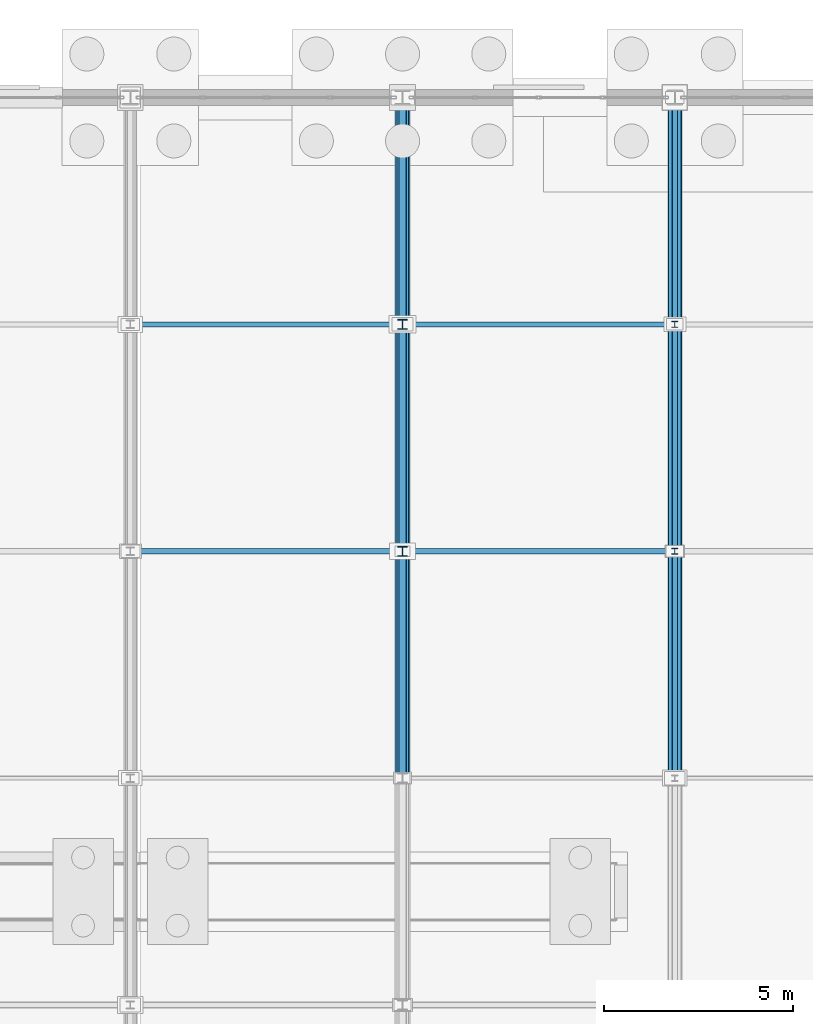
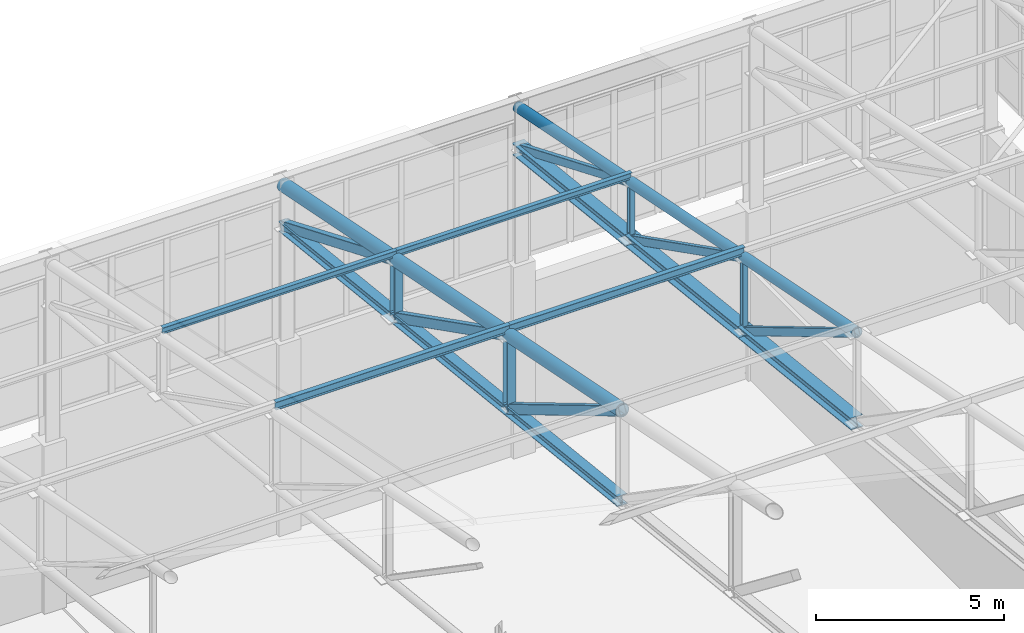
# One storey, part 224 of 293: 26 members.
"""IFC4 building model written with IfcOpenShell, lengths in metres."""

from ifc_helpers import new_model, si_unit, direction, frame, origin, origin_2d, place, context, subcontext, project, spatial, hollow_rectangle, hollow_circle, i_section, extrude, material, material_profile, profile_set, type_object, element, save


model = new_model("IFC4")

# Units and contexts
model_context = context("Model", 3, precision=1e-05, world=origin(), true_north=direction((0.0, 1.0)))
body_context = subcontext(model_context, "Body", "Model", "MODEL_VIEW")
ifc_project = project(units=[si_unit("LENGTHUNIT", "METRE"), si_unit("AREAUNIT", "SQUARE_METRE"), si_unit("VOLUMEUNIT", "CUBIC_METRE"), si_unit("PLANEANGLEUNIT", "RADIAN"), si_unit("MASSUNIT", "GRAM", prefix="KILO")], contexts=[model_context])

# Site, building, storey
site_placement = place(None, origin())
site = spatial("IfcSite", under=ifc_project, at=site_placement, CompositionType="ELEMENT")
building_placement = place(site_placement, origin())
building = spatial("IfcBuilding", under=site, at=building_placement, Name="Kemerveld Promenade Tramway Depot", CompositionType="ELEMENT")
storey_placement = place(building_placement, origin())
storey = spatial("IfcBuildingStorey", under=building, at=storey_placement, Name="L00", CompositionType="ELEMENT", Elevation=0.0)

# Members
ifc_material = material(Name="Steel S355", Category="steel")
ifc_material_profile_1 = material_profile(ifc_material, hollow_rectangle(XDim=0.199951171875, YDim=0.300048828125, WallThickness=0.012451171875, InnerFilletRadius=0.00634765625, OuterFilletRadius=0.018798828125, at=origin_2d()), Name="300x200x12.5 RHS")
ifc_profile_set_1 = profile_set([ifc_material_profile_1], Name="Steel S355")
member_type_1 = type_object("IfcMemberType", Name="MB-M01", PredefinedType="BRACE", material=ifc_profile_set_1)
member_1_placement = place(storey_placement, frame((165.60009765625, 132.0, 11.1201171875), z_axis=(0.0, -0.8587636701, 0.512371895128), x_axis=(1.0, 0.0, 0.0)))
element("IfcMember", 1, at=member_1_placement, inside=storey, type_object=member_type_1, Name="TR-24-DG-08", PredefinedType="BRACE", context=body_context, shape_type="SweptSolid", body=[
    extrude(hollow_rectangle(XDim=0.199951171875, YDim=0.300048828125, WallThickness=0.012451171875, InnerFilletRadius=0.00634765625, OuterFilletRadius=0.018798828125, at=origin_2d()), origin(), (0.0, 0.0, 1.0), 6.98681640625),
])
member_2_placement = place(storey_placement, frame((165.60009765625, 138.0, 10.4599609375), z_axis=(0.0, -0.892033434612, 0.451969414379), x_axis=(1.0, 0.0, 0.0)))
element("IfcMember", 2, at=member_2_placement, inside=storey, type_object=member_type_1, Name="TR-24-DG-09", PredefinedType="BRACE", context=body_context, shape_type="SweptSolid", body=[
    extrude(hollow_rectangle(XDim=0.199951171875, YDim=0.300048828125, WallThickness=0.012451171875, InnerFilletRadius=0.00634765625, OuterFilletRadius=0.018798828125, at=origin_2d()), origin(), (0.0, 0.0, 1.0), 6.726318359375),
])
member_3_placement = place(storey_placement, frame((165.60009765625, 144.0, 9.800048828125), z_axis=(0.0, -0.923076923077, 0.384615384615), x_axis=(1.0, 0.0, 0.0)))
element("IfcMember", 3, at=member_3_placement, inside=storey, type_object=member_type_1, Name="TR-24-DG-10", PredefinedType="BRACE", context=body_context, shape_type="SweptSolid", body=[
    extrude(hollow_rectangle(XDim=0.199951171875, YDim=0.300048828125, WallThickness=0.012451171875, InnerFilletRadius=0.00634765625, OuterFilletRadius=0.018798828125, at=origin_2d()), origin(), (0.0, 0.0, 1.0), 6.5),
])
ifc_material_profile_2 = material_profile(ifc_material, hollow_rectangle(XDim=0.14990234375, YDim=0.25, WallThickness=0.010009765625, InnerFilletRadius=0.0048828125, OuterFilletRadius=0.014892578125, at=origin_2d()), Name="250x150x10.0 RHS")
ifc_profile_set_2 = profile_set([ifc_material_profile_2], Name="Steel S355")
member_type_2 = type_object("IfcMemberType", Name="MB-M02", PredefinedType="BRACE", material=ifc_profile_set_2)
member_4_placement = place(storey_placement, frame((172.800048828125, 132.0, 11.1201171875), z_axis=(0.0, -0.8587636701, 0.512371895128), x_axis=(1.0, 0.0, 0.0)))
element("IfcMember", 4, at=member_4_placement, inside=storey, type_object=member_type_2, Name="TR-25-DG-08", PredefinedType="BRACE", context=body_context, shape_type="SweptSolid", body=[
    extrude(hollow_rectangle(XDim=0.14990234375, YDim=0.25, WallThickness=0.010009765625, InnerFilletRadius=0.0048828125, OuterFilletRadius=0.014892578125, at=origin_2d()), origin(), (0.0, 0.0, 1.0), 6.98681640625),
])
member_5_placement = place(storey_placement, frame((172.800048828125, 138.0, 10.4599609375), z_axis=(0.0, -0.892033434612, 0.451969414379), x_axis=(1.0, 0.0, 0.0)))
element("IfcMember", 5, at=member_5_placement, inside=storey, type_object=member_type_2, Name="TR-25-DG-09", PredefinedType="BRACE", context=body_context, shape_type="SweptSolid", body=[
    extrude(hollow_rectangle(XDim=0.14990234375, YDim=0.25, WallThickness=0.010009765625, InnerFilletRadius=0.0048828125, OuterFilletRadius=0.014892578125, at=origin_2d()), origin(), (0.0, 0.0, 1.0), 6.726318359375),
])
member_6_placement = place(storey_placement, frame((172.800048828125, 144.0, 9.800048828125), z_axis=(0.0, -0.923076923077, 0.384615384615), x_axis=(1.0, 0.0, 0.0)))
element("IfcMember", 6, at=member_6_placement, inside=storey, type_object=member_type_2, Name="TR-25-DG-10", PredefinedType="BRACE", context=body_context, shape_type="SweptSolid", body=[
    extrude(hollow_rectangle(XDim=0.14990234375, YDim=0.25, WallThickness=0.010009765625, InnerFilletRadius=0.0048828125, OuterFilletRadius=0.014892578125, at=origin_2d()), origin(), (0.0, 0.0, 1.0), 6.5),
])
ifc_material_profile_3 = material_profile(ifc_material, i_section(OverallWidth=0.25634765625, OverallDepth=0.26025390625, WebThickness=0.01025390625, FlangeThickness=0.017333984375, FilletRadius=0.0126953125, at=origin_2d()), Name="254x254x89 UC")
ifc_profile_set_3 = profile_set([ifc_material_profile_3], Name="Steel S355")
member_type_3 = type_object("IfcMemberType", Name="MB-M04", PredefinedType="POST", material=ifc_profile_set_3)
member_7_placement = place(storey_placement, frame((165.60009765625, 132.0, 11.1201171875), z_axis=(0.0, 0.0, 1.0), x_axis=(1.0, 0.0, 0.0)))
element("IfcMember", 7, at=member_7_placement, inside=storey, type_object=member_type_3, Name="TR-24-VT-08", PredefinedType="POST", context=body_context, shape_type="SweptSolid", body=[
    extrude(i_section(OverallWidth=0.25634765625, OverallDepth=0.26025390625, WebThickness=0.01025390625, FlangeThickness=0.017333984375, FilletRadius=0.0126953125, at=origin_2d()), origin(), (0.0, 0.0, 1.0), 2.3798828125),
])
member_8_placement = place(storey_placement, frame((165.60009765625, 138.0, 10.4599609375), z_axis=(0.0, 0.0, 1.0), x_axis=(1.0, 0.0, 0.0)))
element("IfcMember", 8, at=member_8_placement, inside=storey, type_object=member_type_3, Name="TR-24-VT-09", PredefinedType="POST", context=body_context, shape_type="SweptSolid", body=[
    extrude(i_section(OverallWidth=0.25634765625, OverallDepth=0.26025390625, WebThickness=0.01025390625, FlangeThickness=0.017333984375, FilletRadius=0.0126953125, at=origin_2d()), origin(), (0.0, 0.0, 1.0), 1.840087890625),
])
ifc_material_profile_4 = material_profile(ifc_material, i_section(OverallWidth=0.154296875, OverallDepth=0.161865234375, WebThickness=0.008056640625, FlangeThickness=0.011474609375, FilletRadius=0.007568359375, at=origin_2d()), Name="152x152x37 UC")
ifc_profile_set_4 = profile_set([ifc_material_profile_4], Name="Steel S355")
member_type_4 = type_object("IfcMemberType", Name="MB-M05", PredefinedType="POST", material=ifc_profile_set_4)
member_9_placement = place(storey_placement, frame((172.800048828125, 132.0, 11.1201171875), z_axis=(0.0, 0.0, 1.0), x_axis=(1.0, 0.0, 0.0)))
element("IfcMember", 9, at=member_9_placement, inside=storey, type_object=member_type_4, Name="TR-25-VT-08", PredefinedType="POST", context=body_context, shape_type="SweptSolid", body=[
    extrude(i_section(OverallWidth=0.154296875, OverallDepth=0.161865234375, WebThickness=0.008056640625, FlangeThickness=0.011474609375, FilletRadius=0.007568359375, at=origin_2d()), origin(), (0.0, 0.0, 1.0), 2.3798828125),
])
member_10_placement = place(storey_placement, frame((172.800048828125, 138.0, 10.4599609375), z_axis=(0.0, 0.0, 1.0), x_axis=(1.0, 0.0, 0.0)))
element("IfcMember", 10, at=member_10_placement, inside=storey, type_object=member_type_4, Name="TR-25-VT-09", PredefinedType="POST", context=body_context, shape_type="SweptSolid", body=[
    extrude(i_section(OverallWidth=0.154296875, OverallDepth=0.161865234375, WebThickness=0.008056640625, FlangeThickness=0.011474609375, FilletRadius=0.007568359375, at=origin_2d()), origin(), (0.0, 0.0, 1.0), 1.840087890625),
])
ifc_material_profile_5 = material_profile(ifc_material, i_section(OverallWidth=0.37255859375, OverallDepth=0.3681640625, WebThickness=0.014404296875, FlangeThickness=0.023681640625, FilletRadius=0.01513671875, at=origin_2d()), Name="356x368x177 UC")
ifc_profile_set_5 = profile_set([ifc_material_profile_5], Name="Steel S355")
member_type_5 = type_object("IfcMemberType", Name="MB-M08", PredefinedType="CHORD", material=ifc_profile_set_5)
for number, where, z_axis, x_axis, name in (
    (11, (172.800048828125, 126.0, 11.780029296875), (0.0, 0.994005938353, -0.109326092585), (-1.0, 0.0, 0.0), "TR-25-BC-08"),
    (12, (172.800048828125, 132.0, 11.1201171875), (0.0, 0.994001542248, -0.109366055104), (-1.0, 0.0, 0.0), "TR-25-BC-09"),
    (13, (172.800048828125, 138.0, 10.4599609375), (0.0, 0.994005938353, -0.109326092585), (-1.0, 0.0, 0.0), "TR-25-BC-10"),
):
    element("IfcMember", number, at=place(storey_placement, frame(where, z_axis=z_axis, x_axis=x_axis)), inside=storey, type_object=member_type_5, Name=name, PredefinedType="CHORD", context=body_context, shape_type="SweptSolid", body=[
        extrude(i_section(OverallWidth=0.37255859375, OverallDepth=0.3681640625, WebThickness=0.014404296875, FlangeThickness=0.023681640625, FilletRadius=0.01513671875, at=origin_2d()), origin(), (0.0, 0.0, 1.0), 6.0361328125),
    ])
ifc_material_profile_6 = material_profile(ifc_material, i_section(OverallWidth=0.146484375, OverallDepth=0.256103515625, WebThickness=0.00634765625, FlangeThickness=0.010986328125, FilletRadius=0.007568359375, at=origin_2d()), Name="254x146x37 UB")
ifc_profile_set_6 = profile_set([ifc_material_profile_6], Name="Steel S355")
member_type_6 = type_object("IfcMemberType", Name="MB-PR3", PredefinedType="PURLIN", material=ifc_profile_set_6)
member_11_placement = place(storey_placement, frame((158.39990234375, 132.0, 13.7451171875), z_axis=(1.0, 0.0, 0.0), x_axis=(0.0, 1.0, 0.0)))
element("IfcMember", 14, at=member_11_placement, inside=storey, type_object=member_type_6, Name="PUR-V1-08-23", PredefinedType="PURLIN", context=body_context, shape_type="SweptSolid", body=[
    extrude(i_section(OverallWidth=0.146484375, OverallDepth=0.256103515625, WebThickness=0.00634765625, FlangeThickness=0.010986328125, FilletRadius=0.007568359375, at=origin_2d()), origin(), (0.0, 0.0, 1.0), 7.2001953125),
])
member_12_placement = place(storey_placement, frame((165.60009765625, 132.0, 13.7451171875), z_axis=(1.0, 0.0, 0.0), x_axis=(0.0, 1.0, 0.0)))
element("IfcMember", 15, at=member_12_placement, inside=storey, type_object=member_type_6, Name="PUR-V1-08-24", PredefinedType="PURLIN", context=body_context, shape_type="SweptSolid", body=[
    extrude(i_section(OverallWidth=0.146484375, OverallDepth=0.256103515625, WebThickness=0.00634765625, FlangeThickness=0.010986328125, FilletRadius=0.007568359375, at=origin_2d()), origin(), (0.0, 0.0, 1.0), 7.199951171875),
])
ifc_material_profile_7 = material_profile(ifc_material, i_section(OverallWidth=0.13330078125, OverallDepth=0.203125, WebThickness=0.005615234375, FlangeThickness=0.0078125, FilletRadius=0.007568359375, at=origin_2d()), Name="203x133x25 UB")
ifc_profile_set_7 = profile_set([ifc_material_profile_7], Name="Steel S355")
member_type_7 = type_object("IfcMemberType", Name="MB-PR4", PredefinedType="PURLIN", material=ifc_profile_set_7)
member_13_placement = place(storey_placement, frame((158.39990234375, 138.0, 12.544921875), z_axis=(1.0, 0.0, 0.0), x_axis=(0.0, 1.0, 0.0)))
element("IfcMember", 16, at=member_13_placement, inside=storey, type_object=member_type_7, Name="PUR-V1-09-23", PredefinedType="PURLIN", context=body_context, shape_type="SweptSolid", body=[
    extrude(i_section(OverallWidth=0.13330078125, OverallDepth=0.203125, WebThickness=0.005615234375, FlangeThickness=0.0078125, FilletRadius=0.007568359375, at=origin_2d()), origin(), (0.0, 0.0, 1.0), 7.2001953125),
])
member_14_placement = place(storey_placement, frame((165.60009765625, 138.0, 12.544921875), z_axis=(1.0, 0.0, 0.0), x_axis=(0.0, 1.0, 0.0)))
element("IfcMember", 17, at=member_14_placement, inside=storey, type_object=member_type_7, Name="PUR-V1-09-24", PredefinedType="PURLIN", context=body_context, shape_type="SweptSolid", body=[
    extrude(i_section(OverallWidth=0.13330078125, OverallDepth=0.203125, WebThickness=0.005615234375, FlangeThickness=0.0078125, FilletRadius=0.007568359375, at=origin_2d()), origin(), (0.0, 0.0, 1.0), 7.199951171875),
])
ifc_material_profile_8 = material_profile(ifc_material, hollow_circle(Radius=0.203125, WallThickness=0.01611328125, at=origin_2d()), Name="406.4x16.0 CHS")
ifc_profile_set_8 = profile_set([ifc_material_profile_8], Name="Steel S355")
member_type_8 = type_object("IfcMemberType", Name="MB-TC1", PredefinedType="CHORD", material=ifc_profile_set_8)
for number, where, z_axis, x_axis, name in (
    (18, (165.60009765625, 126.0, 14.699951171875), (0.0, 0.980582210276, -0.196108462057), (-1.0, 0.0, 0.0), "TR-24-TC-08"),
    (19, (165.60009765625, 132.0, 13.5), (0.0, 0.980582210276, -0.196108462057), (-1.0, 0.0, 0.0), "TR-24-TC-09"),
    (20, (165.60009765625, 138.0, 12.300048828125), (0.0, 0.980582210276, -0.196108462057), (-1.0, 0.0, 0.0), "TR-24-TC-10"),
):
    element("IfcMember", number, at=place(storey_placement, frame(where, z_axis=z_axis, x_axis=x_axis)), inside=storey, type_object=member_type_8, Name=name, PredefinedType="CHORD", context=body_context, shape_type="SweptSolid", body=[
        extrude(hollow_circle(Radius=0.203125, WallThickness=0.01611328125, at=origin_2d()), origin(), (0.0, 0.0, 1.0), 6.118896484375),
    ])
ifc_material_profile_9 = material_profile(ifc_material, hollow_circle(Radius=0.161865234375, WallThickness=0.012451171875, at=origin_2d()), Name="323.9x12.5 CHS")
ifc_profile_set_9 = profile_set([ifc_material_profile_9], Name="Steel S355")
member_type_9 = type_object("IfcMemberType", Name="MB-TC2", PredefinedType="CHORD", material=ifc_profile_set_9)
for number, where, z_axis, x_axis, name in (
    (21, (172.800048828125, 126.0, 14.699951171875), (0.0, 0.980582210276, -0.196108462057), (-1.0, 0.0, 0.0), "TR-25-TC-08"),
    (22, (172.800048828125, 132.0, 13.5), (0.0, 0.980582210276, -0.196108462057), (-1.0, 0.0, 0.0), "TR-25-TC-09"),
    (23, (172.800048828125, 138.0, 12.300048828125), (0.0, 0.980582210276, -0.196108462057), (-1.0, 0.0, 0.0), "TR-25-TC-10"),
):
    element("IfcMember", number, at=place(storey_placement, frame(where, z_axis=z_axis, x_axis=x_axis)), inside=storey, type_object=member_type_9, Name=name, PredefinedType="CHORD", context=body_context, shape_type="SweptSolid", body=[
        extrude(hollow_circle(Radius=0.161865234375, WallThickness=0.012451171875, at=origin_2d()), origin(), (0.0, 0.0, 1.0), 6.118896484375),
    ])
ifc_material_profile_10 = material_profile(ifc_material, i_section(OverallWidth=0.307373046875, OverallDepth=0.314453125, WebThickness=0.011962890625, FlangeThickness=0.018798828125, FilletRadius=0.01513671875, at=origin_2d()), Name="305x305x118 UC")
ifc_profile_set_10 = profile_set([ifc_material_profile_10], Name="Steel S355")
member_type_10 = type_object("IfcMemberType", Name="MB-TC4", PredefinedType="CHORD", material=ifc_profile_set_10)
for number, where, z_axis, x_axis, name in (
    (24, (165.60009765625, 126.0, 11.780029296875), (0.0, 0.994005938353, -0.109326092585), (-1.0, 0.0, 0.0), "TR-24-BC-08"),
    (25, (165.60009765625, 132.0, 11.1201171875), (0.0, 0.994001542248, -0.109366055104), (-1.0, 0.0, 0.0), "TR-24-BC-09"),
    (26, (165.60009765625, 138.0, 10.4599609375), (0.0, 0.994005938353, -0.109326092585), (-1.0, 0.0, 0.0), "TR-24-BC-10"),
):
    element("IfcMember", number, at=place(storey_placement, frame(where, z_axis=z_axis, x_axis=x_axis)), inside=storey, type_object=member_type_10, Name=name, PredefinedType="CHORD", context=body_context, shape_type="SweptSolid", body=[
        extrude(i_section(OverallWidth=0.307373046875, OverallDepth=0.314453125, WebThickness=0.011962890625, FlangeThickness=0.018798828125, FilletRadius=0.01513671875, at=origin_2d()), origin(), (0.0, 0.0, 1.0), 6.0361328125),
    ])

save(model, "model.ifc")
